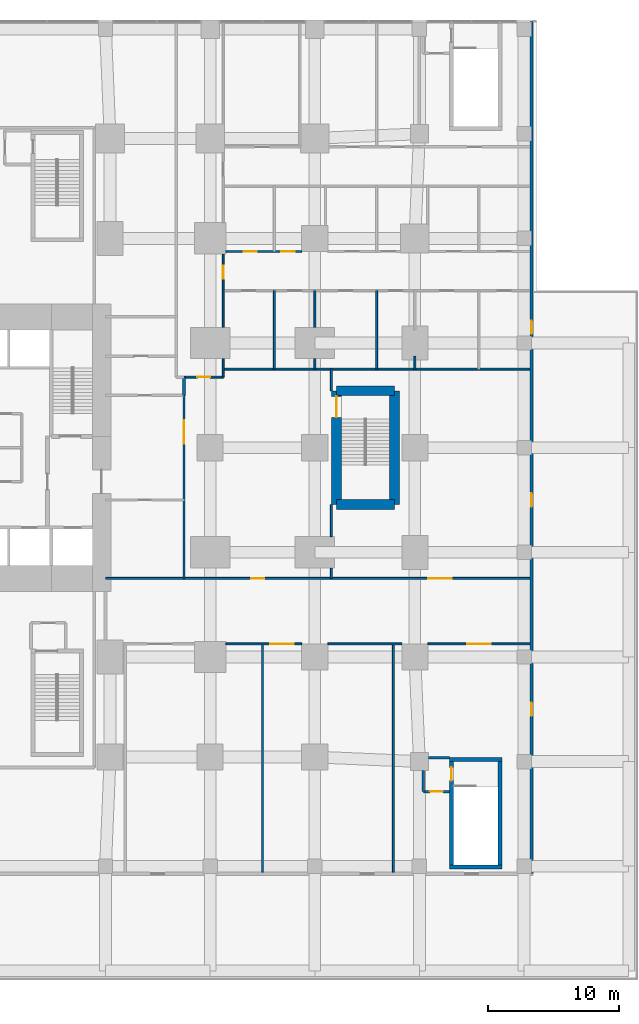
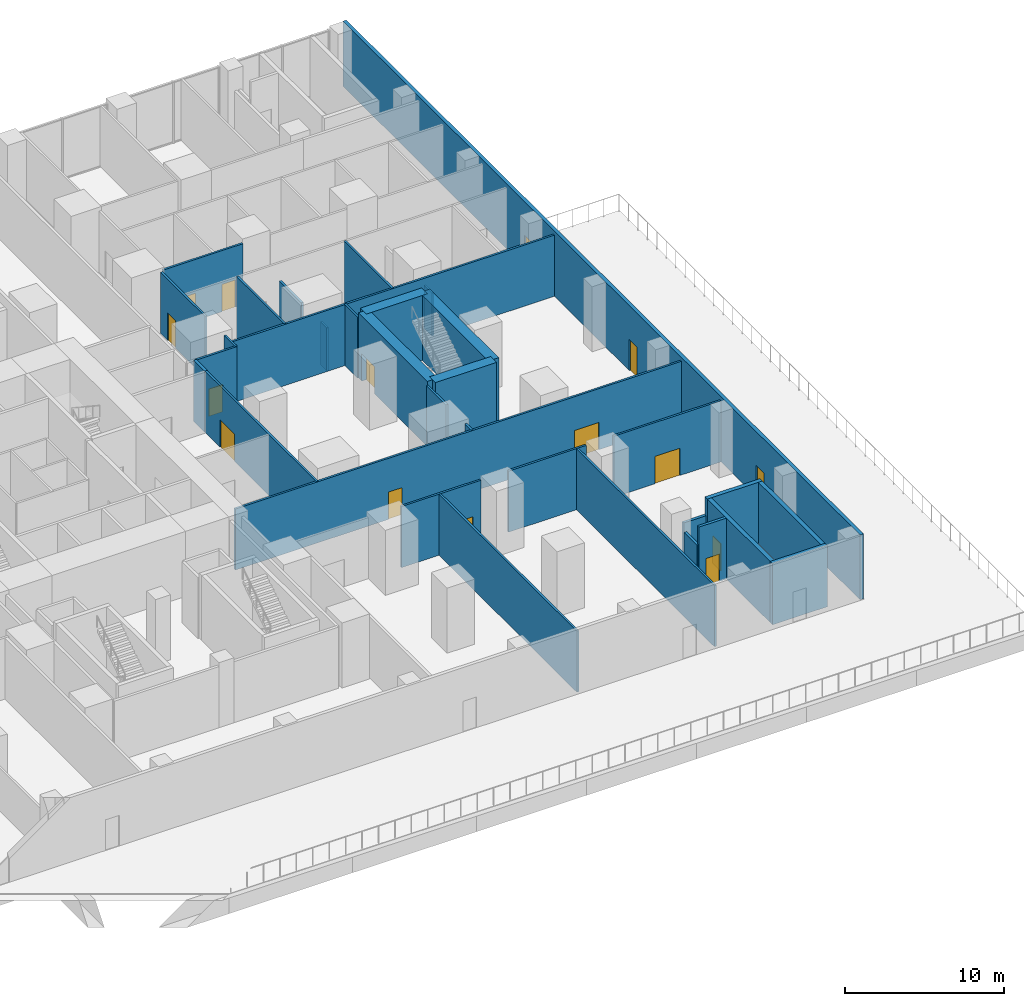
# One storey, part 11 of 19: 33 walls, 15 doors, 15 openings.
"""IFC4 building model written with IfcOpenShell, lengths in metres."""

from ifc_helpers import new_model, si_unit, direction, frame, frame_2d, origin, place, context, subcontext, project, spatial, rectangle, extrude, material, layer, layer_set, type_object, element, fill, save


model = new_model("IFC4")

# Units and contexts
model_context = context("Model", 3, precision=1e-05, world=origin(), true_north=direction((0.0, 1.0)))
body_context = subcontext(model_context, "Body", "Model", "MODEL_VIEW")
ifc_project = project(units=[si_unit("LENGTHUNIT", "METRE"), si_unit("AREAUNIT", "SQUARE_METRE"), si_unit("VOLUMEUNIT", "CUBIC_METRE"), si_unit("PLANEANGLEUNIT", "RADIAN"), si_unit("MASSUNIT", "GRAM", prefix="KILO")], contexts=[model_context])

# Site, building, storey
site_placement = place(None, origin())
site = spatial("IfcSite", under=ifc_project, at=site_placement, CompositionType="ELEMENT")
building_placement = place(site_placement, origin())
building = spatial("IfcBuilding", under=site, at=building_placement, Name="Cleftline Residences", CompositionType="ELEMENT")
storey_placement = place(building_placement, frame((0.0, 0.0, 11.0)))
storey = spatial("IfcBuildingStorey", under=building, at=storey_placement, Name="L02", CompositionType="ELEMENT", Elevation=11.0)

# Wall, openings, doors
ifc_material_1 = material(Name="Rendered reinforced concrete blockwork", Category="masonry")
ifc_layer_1 = layer(ifc_material_1, 0.25)
ifc_layer_set_1 = layer_set([ifc_layer_1], Name="EXTERNAL WALL 250")
wall_type_1 = type_object("IfcWallType", Name="EXTERNAL WALL 250", PredefinedType="SOLIDWALL", material=ifc_layer_set_1)
wall_1_placement = place(storey_placement, frame((74.574951171875, -8.574951171875, 0.0), z_axis=(0.0, 0.0, 1.0), x_axis=(0.0, 1.0, 0.0)))
wall_1 = element("IfcWall", 1, at=wall_1_placement, inside=storey, type_object=wall_type_1, Name="External wall", PredefinedType="SOLIDWALL", context=body_context, shape_type="SweptSolid", body=[
    extrude(rectangle(XDim=65.14990234375, YDim=0.25, at=frame_2d((32.574951171875, 0.0))), origin(), (0.0, 0.0, 1.0), 5.0),
])
opening_1_placement = place(wall_1_placement, frame((12.074951171875, 0.0, 0.0)))
opening_1 = element("IfcOpeningElement", 2, at=opening_1_placement, cuts=wall_1, Name="Opening DT1", PredefinedType="OPENING", context=body_context, shape_type="SweptSolid", body=[
    extrude(rectangle(XDim=1.0, YDim=2.39990234375, at=frame_2d((0.5, 1.199951171875))), frame((0.0, 0.135009765625, 0.0), z_axis=(0.0, -1.0, 0.0), x_axis=(1.0, 0.0, 0.0)), (0.0, 0.0, 1.0), 0.27001953125),
])
opening_2_placement = place(wall_1_placement, frame((28.074951171875, 0.0, 0.0)))
opening_2 = element("IfcOpeningElement", 3, at=opening_2_placement, cuts=wall_1, Name="Opening DT1", PredefinedType="OPENING", context=body_context, shape_type="SweptSolid", body=[
    extrude(rectangle(XDim=1.0, YDim=2.39990234375, at=frame_2d((0.5, 1.199951171875))), frame((0.0, 0.135009765625, 0.0), z_axis=(0.0, -1.0, 0.0), x_axis=(1.0, 0.0, 0.0)), (0.0, 0.0, 1.0), 0.27001953125),
])
opening_3_placement = place(wall_1_placement, frame((41.27490234375, 0.0, 0.0)))
opening_3 = element("IfcOpeningElement", 4, at=opening_3_placement, cuts=wall_1, Name="Opening DT1", PredefinedType="OPENING", context=body_context, shape_type="SweptSolid", body=[
    extrude(rectangle(XDim=1.0, YDim=2.39990234375, at=frame_2d((0.5, 1.199951171875))), frame((0.0, 0.135009765625, 0.0), z_axis=(0.0, -1.0, 0.0), x_axis=(1.0, 0.0, 0.0)), (0.0, 0.0, 1.0), 0.27001953125),
])
ifc_material_2 = material(Name="Aluminium and laminated glass", Category="aluminium")
door_type_1 = type_object("IfcDoorType", Name="TERRACE DOOR 1000X2400", OperationType="SINGLE_SWING_LEFT", PredefinedType="DOOR", material=ifc_material_2)
door_1_placement = place(opening_1_placement, origin())
door_1 = element("IfcDoor", 5, at=door_1_placement, inside=storey, type_object=door_type_1, Name="Terrace door", OperationType="SINGLE_SWING_RIGHT", OverallHeight=2.39990234375, OverallWidth=1.0, PredefinedType="DOOR", context=body_context, shape_type="SweptSolid", body=[
    extrude(rectangle(XDim=1.0, YDim=2.39990234375, at=frame_2d((0.5, 1.199951171875))), frame((0.0, 0.02490234375, 0.0), z_axis=(0.0, -1.0, 0.0), x_axis=(1.0, 0.0, 0.0)), (0.0, 0.0, 1.0), 0.050048828125),
])
fill(opening_1, door_1)
door_2_placement = place(opening_2_placement, origin())
door_2 = element("IfcDoor", 6, at=door_2_placement, inside=storey, type_object=door_type_1, Name="Terrace door", OperationType="SINGLE_SWING_RIGHT", OverallHeight=2.39990234375, OverallWidth=1.0, PredefinedType="DOOR", context=body_context, shape_type="SweptSolid", body=[
    extrude(rectangle(XDim=1.0, YDim=2.39990234375, at=frame_2d((0.5, 1.199951171875))), frame((0.0, 0.02490234375, 0.0), z_axis=(0.0, -1.0, 0.0), x_axis=(1.0, 0.0, 0.0)), (0.0, 0.0, 1.0), 0.050048828125),
])
fill(opening_2, door_2)
door_3_placement = place(opening_3_placement, origin())
door_3 = element("IfcDoor", 7, at=door_3_placement, inside=storey, type_object=door_type_1, Name="Terrace door", OperationType="SINGLE_SWING_LEFT", OverallHeight=2.39990234375, OverallWidth=1.0, PredefinedType="DOOR", context=body_context, shape_type="SweptSolid", body=[
    extrude(rectangle(XDim=1.0, YDim=2.39990234375, at=frame_2d((0.5, 1.199951171875))), frame((0.0, 0.02490234375, 0.0), z_axis=(0.0, -1.0, 0.0), x_axis=(1.0, 0.0, 0.0)), (0.0, 0.0, 1.0), 0.050048828125),
])
fill(opening_3, door_3)

# Wall, opening, door
ifc_material_3 = material(Name="Concrete blockwork, fire rated", Category="masonry")
ifc_layer_2 = layer(ifc_material_3, 0.199951171875)
ifc_layer_set_2 = layer_set([ifc_layer_2], Name="FIRE WALL 200")
wall_type_2 = type_object("IfcWallType", Name="FIRE WALL 200", PredefinedType="PARTITIONING", material=ifc_layer_set_2)
wall_2_placement = place(storey_placement, frame((66.300048828125, -2.300048828125, 0.0), z_axis=(0.0, 0.0, 1.0), x_axis=(1.0, 0.0, 0.0)))
wall_2 = element("IfcWall", 8, at=wall_2_placement, inside=storey, type_object=wall_type_2, Name="Fire separating wall", PredefinedType="PARTITIONING", context=body_context, shape_type="SweptSolid", body=[
    extrude(rectangle(XDim=2.0, YDim=0.199951171875, at=frame_2d((1.0, 0.0))), origin(), (0.0, 0.0, 1.0), 4.699951171875),
])
opening_4_placement = place(wall_2_placement, frame((0.5, 0.0, 0.0)))
opening_4 = element("IfcOpeningElement", 9, at=opening_4_placement, cuts=wall_2, Name="Opening D2F60", PredefinedType="OPENING", context=body_context, shape_type="SweptSolid", body=[
    extrude(rectangle(XDim=1.0, YDim=2.10009765625, at=frame_2d((0.5, 1.050048828125))), frame((0.0, 0.10986328125, 0.0), z_axis=(0.0, -1.0, 0.0), x_axis=(1.0, 0.0, 0.0)), (0.0, 0.0, 1.0), 0.219970703125),
])
ifc_material_4 = material(Name="Timber veneer on solid core", Category="wood")
door_type_2 = type_object("IfcDoorType", Name="DOOR 1000X2100 EI 60", OperationType="SINGLE_SWING_LEFT", PredefinedType="DOOR", material=ifc_material_4)
door_4_placement = place(opening_4_placement, origin())
door_4 = element("IfcDoor", 10, at=door_4_placement, inside=storey, type_object=door_type_2, Name="Door to stair ps-s lobby", OperationType="SINGLE_SWING_LEFT", OverallHeight=2.10009765625, OverallWidth=1.0, PredefinedType="DOOR", context=body_context, shape_type="SweptSolid", body=[
    extrude(rectangle(XDim=1.0, YDim=2.10009765625, at=frame_2d((0.5, 1.050048828125))), frame((0.0, 0.02490234375, 0.0), z_axis=(0.0, -1.0, 0.0), x_axis=(1.0, 0.0, 0.0)), (0.0, 0.0, 1.0), 0.050048828125),
])
fill(opening_4, door_4)

# Walls
wall_3_placement = place(storey_placement, frame((66.699951171875, 0.300048828125, 0.0), z_axis=(0.0, 0.0, 1.0), x_axis=(1.0, 0.0, 0.0)))
element("IfcWall", 11, at=wall_3_placement, inside=storey, type_object=wall_type_2, Name="Fire separating wall", PredefinedType="PARTITIONING", context=body_context, shape_type="SweptSolid", body=[
    extrude(rectangle(XDim=1.60009765625, YDim=0.199951171875, at=frame_2d((0.800048828125, 0.0))), origin(), (0.0, 0.0, 1.0), 3.300048828125),
])
wall_4_placement = place(storey_placement, frame((48.0, 28.0, 0.0), z_axis=(0.0, 0.0, 1.0), x_axis=(0.0, 1.0, 0.0)))
element("IfcWall", 12, at=wall_4_placement, inside=storey, type_object=wall_type_2, Name="Fire separating wall", PredefinedType="PARTITIONING", context=body_context, shape_type="SweptSolid", body=[
    extrude(rectangle(XDim=1.39990234375, YDim=0.199951171875, at=frame_2d((0.699951171875, 0.0))), origin(), (0.0, 0.0, 1.0), 4.699951171875),
])
wall_5_placement = place(storey_placement, frame((66.300048828125, -2.300048828125, 0.0), z_axis=(0.0, 0.0, 1.0), x_axis=(0.0, 1.0, 0.0)))
element("IfcWall", 13, at=wall_5_placement, inside=storey, type_object=wall_type_2, Name="Fire separating wall", PredefinedType="PARTITIONING", context=body_context, shape_type="SweptSolid", body=[
    extrude(rectangle(XDim=1.60009765625, YDim=0.199951171875, at=frame_2d((0.800048828125, 0.0))), origin(), (0.0, 0.0, 1.0), 3.300048828125),
])

# Wall, opening, door
ifc_material_5 = material(Name="Gypsum board on steel studs", Category="steel")
ifc_layer_3 = layer(ifc_material_5, 0.14990234375)
ifc_layer_set_3 = layer_set([ifc_layer_3], Name="PARTITION 150")
wall_type_3 = type_object("IfcWallType", Name="PARTITION 150", PredefinedType="PARTITIONING", material=ifc_layer_set_3)
wall_6_placement = place(storey_placement, frame((51.199951171875, 9.0, 0.0), z_axis=(0.0, 0.0, 1.0), x_axis=(1.0, 0.0, 0.0)))
wall_6 = element("IfcWall", 14, at=wall_6_placement, inside=storey, type_object=wall_type_3, Name="Partition", PredefinedType="PARTITIONING", context=body_context, shape_type="SweptSolid", body=[
    extrude(rectangle(XDim=5.800048828125, YDim=0.14990234375, at=frame_2d((2.89990234375, 0.0))), origin(), (0.0, 0.0, 1.0), 4.699951171875),
])
opening_5_placement = place(wall_6_placement, frame((3.39990234375, 0.0, 0.0)))
opening_5 = element("IfcOpeningElement", 15, at=opening_5_placement, cuts=wall_6, Name="Opening D3", PredefinedType="OPENING", context=body_context, shape_type="SweptSolid", body=[
    extrude(rectangle(XDim=1.800048828125, YDim=2.10009765625, at=frame_2d((0.89990234375, 1.050048828125))), frame((0.0, 0.0849609375, 0.0), z_axis=(0.0, -1.0, 0.0), x_axis=(1.0, 0.0, 0.0)), (0.0, 0.0, 1.0), 0.169921875),
])
ifc_material_6 = material(Name="Timber veneer on solid core", Category="wood")
door_type_3 = type_object("IfcDoorType", Name="DOUBLE DOOR 1800X2100", OperationType="DOUBLE_DOOR_DOUBLE_SWING", PredefinedType="DOOR", material=ifc_material_6)
door_5_placement = place(opening_5_placement, origin())
door_5 = element("IfcDoor", 16, at=door_5_placement, inside=storey, type_object=door_type_3, Name="Door to dance studio", OperationType="DOUBLE_DOOR_DOUBLE_SWING", OverallHeight=2.10009765625, OverallWidth=1.800048828125, PredefinedType="DOOR", context=body_context, shape_type="SweptSolid", body=[
    extrude(rectangle(XDim=1.800048828125, YDim=2.10009765625, at=frame_2d((0.89990234375, 1.050048828125))), frame((0.0, 0.02490234375, 0.0), z_axis=(0.0, -1.0, 0.0), x_axis=(1.0, 0.0, 0.0)), (0.0, 0.0, 1.0), 0.050048828125),
])
fill(opening_5, door_5)

# Wall
wall_7_placement = place(storey_placement, frame((59.0, 9.0, 0.0), z_axis=(0.0, 0.0, 1.0), x_axis=(1.0, 0.0, 0.0)))
element("IfcWall", 17, at=wall_7_placement, inside=storey, type_object=wall_type_3, Name="Partition", PredefinedType="PARTITIONING", context=body_context, shape_type="SweptSolid", body=[
    extrude(rectangle(XDim=5.64990234375, YDim=0.14990234375, at=frame_2d((2.824951171875, 0.0))), origin(), (0.0, 0.0, 1.0), 4.699951171875),
])

# Wall, opening, door
wall_8_placement = place(storey_placement, frame((66.64990234375, 9.0, 0.0), z_axis=(0.0, 0.0, 1.0), x_axis=(1.0, 0.0, 0.0)))
wall_8 = element("IfcWall", 18, at=wall_8_placement, inside=storey, type_object=wall_type_3, Name="Partition", PredefinedType="PARTITIONING", context=body_context, shape_type="SweptSolid", body=[
    extrude(rectangle(XDim=7.800048828125, YDim=0.14990234375, at=frame_2d((3.89990234375, 0.0))), origin(), (0.0, 0.0, 1.0), 4.699951171875),
])
opening_6_placement = place(wall_8_placement, frame((3.0, 0.0, 0.0)))
opening_6 = element("IfcOpeningElement", 19, at=opening_6_placement, cuts=wall_8, Name="Opening D3", PredefinedType="OPENING", context=body_context, shape_type="SweptSolid", body=[
    extrude(rectangle(XDim=1.800048828125, YDim=2.10009765625, at=frame_2d((0.89990234375, 1.050048828125))), frame((0.0, 0.0849609375, 0.0), z_axis=(0.0, -1.0, 0.0), x_axis=(1.0, 0.0, 0.0)), (0.0, 0.0, 1.0), 0.169921875),
])
door_6_placement = place(opening_6_placement, origin())
door_6 = element("IfcDoor", 20, at=door_6_placement, inside=storey, type_object=door_type_3, Name="Door to fitness assessment room", OperationType="DOUBLE_DOOR_DOUBLE_SWING", OverallHeight=2.10009765625, OverallWidth=1.800048828125, PredefinedType="DOOR", context=body_context, shape_type="SweptSolid", body=[
    extrude(rectangle(XDim=1.800048828125, YDim=2.10009765625, at=frame_2d((0.89990234375, 1.050048828125))), frame((0.0, 0.02490234375, 0.0), z_axis=(0.0, -1.0, 0.0), x_axis=(1.0, 0.0, 0.0)), (0.0, 0.0, 1.0), 0.050048828125),
])
fill(opening_6, door_6)

# Wall, openings, doors
wall_9_placement = place(storey_placement, frame((42.0, 14.0, 0.0), z_axis=(0.0, 0.0, 1.0), x_axis=(1.0, 0.0, 0.0)))
wall_9 = element("IfcWall", 21, at=wall_9_placement, inside=storey, type_object=wall_type_3, Name="Partition", PredefinedType="PARTITIONING", context=body_context, shape_type="SweptSolid", body=[
    extrude(rectangle(XDim=32.449951171875, YDim=0.14990234375, at=frame_2d((16.22509765625, 0.0))), origin(), (0.0, 0.0, 1.0), 4.699951171875),
])
opening_7_placement = place(wall_9_placement, frame((11.137451171875, 0.0, 0.0)))
opening_7 = element("IfcOpeningElement", 22, at=opening_7_placement, cuts=wall_9, Name="Opening D2F30", PredefinedType="OPENING", context=body_context, shape_type="SweptSolid", body=[
    extrude(rectangle(XDim=1.0, YDim=2.10009765625, at=frame_2d((0.5, 1.050048828125))), frame((0.0, 0.0849609375, 0.0), z_axis=(0.0, -1.0, 0.0), x_axis=(1.0, 0.0, 0.0)), (0.0, 0.0, 1.0), 0.169921875),
])
opening_8_placement = place(wall_9_placement, frame((24.66259765625, 0.0, 0.0)))
opening_8 = element("IfcOpeningElement", 23, at=opening_8_placement, cuts=wall_9, Name="Opening D3F30", PredefinedType="OPENING", context=body_context, shape_type="SweptSolid", body=[
    extrude(rectangle(XDim=1.800048828125, YDim=2.10009765625, at=frame_2d((0.89990234375, 1.050048828125))), frame((0.0, 0.0849609375, 0.0), z_axis=(0.0, -1.0, 0.0), x_axis=(1.0, 0.0, 0.0)), (0.0, 0.0, 1.0), 0.169921875),
])
ifc_material_7 = material(Name="Timber veneer on solid core", Category="wood")
door_type_4 = type_object("IfcDoorType", Name="DOOR 1000X2100 EI 30", OperationType="SINGLE_SWING_LEFT", PredefinedType="DOOR", material=ifc_material_7)
door_7_placement = place(opening_7_placement, origin())
door_7 = element("IfcDoor", 24, at=door_7_placement, inside=storey, type_object=door_type_4, Name="Door to studio corridor", OperationType="SINGLE_SWING_RIGHT", OverallHeight=2.10009765625, OverallWidth=1.0, PredefinedType="DOOR", context=body_context, shape_type="SweptSolid", body=[
    extrude(rectangle(XDim=1.0, YDim=2.10009765625, at=frame_2d((0.5, 1.050048828125))), frame((0.0, 0.02490234375, 0.0), z_axis=(0.0, -1.0, 0.0), x_axis=(1.0, 0.0, 0.0)), (0.0, 0.0, 1.0), 0.050048828125),
])
fill(opening_7, door_7)
ifc_material_8 = material(Name="Timber veneer on solid core", Category="wood")
door_type_5 = type_object("IfcDoorType", Name="DOUBLE DOOR 1800X2100 EI 30", OperationType="DOUBLE_DOOR_DOUBLE_SWING", PredefinedType="DOOR", material=ifc_material_8)
door_8_placement = place(opening_8_placement, origin())
door_8 = element("IfcDoor", 25, at=door_8_placement, inside=storey, type_object=door_type_5, Name="Door to juice bar", OperationType="DOUBLE_DOOR_DOUBLE_SWING", OverallHeight=2.10009765625, OverallWidth=1.800048828125, PredefinedType="DOOR", context=body_context, shape_type="SweptSolid", body=[
    extrude(rectangle(XDim=1.800048828125, YDim=2.10009765625, at=frame_2d((0.89990234375, 1.050048828125))), frame((0.0, 0.02490234375, 0.0), z_axis=(0.0, -1.0, 0.0), x_axis=(1.0, 0.0, 0.0)), (0.0, 0.0, 1.0), 0.050048828125),
])
fill(opening_8, door_8)

# Wall, opening, door
wall_10_placement = place(storey_placement, frame((48.0, 29.39990234375, 0.0), z_axis=(0.0, 0.0, 1.0), x_axis=(1.0, 0.0, 0.0)))
wall_10 = element("IfcWall", 26, at=wall_10_placement, inside=storey, type_object=wall_type_3, Name="Partition", PredefinedType="PARTITIONING", context=body_context, shape_type="SweptSolid", body=[
    extrude(rectangle(XDim=3.0, YDim=0.14990234375, at=frame_2d((1.5, 0.0))), origin(), (0.0, 0.0, 1.0), 4.699951171875),
])
opening_9_placement = place(wall_10_placement, frame((1.0, 0.0, 0.0)))
opening_9 = element("IfcOpeningElement", 27, at=opening_9_placement, cuts=wall_10, Name="Opening D2F30", PredefinedType="OPENING", context=body_context, shape_type="SweptSolid", body=[
    extrude(rectangle(XDim=1.0, YDim=2.10009765625, at=frame_2d((0.5, 1.050048828125))), frame((0.0, 0.0849609375, 0.0), z_axis=(0.0, -1.0, 0.0), x_axis=(1.0, 0.0, 0.0)), (0.0, 0.0, 1.0), 0.169921875),
])
door_9_placement = place(opening_9_placement, origin())
door_9 = element("IfcDoor", 28, at=door_9_placement, inside=storey, type_object=door_type_4, Name="Door to treatment corridor", OperationType="SINGLE_SWING_LEFT", OverallHeight=2.10009765625, OverallWidth=1.0, PredefinedType="DOOR", context=body_context, shape_type="SweptSolid", body=[
    extrude(rectangle(XDim=1.0, YDim=2.10009765625, at=frame_2d((0.5, 1.050048828125))), frame((0.0, 0.02490234375, 0.0), z_axis=(0.0, -1.0, 0.0), x_axis=(1.0, 0.0, 0.0)), (0.0, 0.0, 1.0), 0.050048828125),
])
fill(opening_9, door_9)

# Wall
wall_11_placement = place(storey_placement, frame((51.0, 30.0, 0.0), z_axis=(0.0, 0.0, 1.0), x_axis=(1.0, 0.0, 0.0)))
element("IfcWall", 29, at=wall_11_placement, inside=storey, type_object=wall_type_3, Name="Partition", PredefinedType="PARTITIONING", context=body_context, shape_type="SweptSolid", body=[
    extrude(rectangle(XDim=23.449951171875, YDim=0.14990234375, at=frame_2d((11.72509765625, 0.0))), origin(), (0.0, 0.0, 1.0), 4.699951171875),
])

# Wall, openings, doors
wall_12_placement = place(storey_placement, frame((51.199951171875, 39.0, 0.0), z_axis=(0.0, 0.0, 1.0), x_axis=(1.0, 0.0, 0.0)))
wall_12 = element("IfcWall", 30, at=wall_12_placement, inside=storey, type_object=wall_type_3, Name="Partition", PredefinedType="PARTITIONING", context=body_context, shape_type="SweptSolid", body=[
    extrude(rectangle(XDim=5.800048828125, YDim=0.14990234375, at=frame_2d((2.89990234375, 0.0))), origin(), (0.0, 0.0, 1.0), 4.699951171875),
])
opening_10_placement = place(wall_12_placement, frame((1.35400390625, 0.0, 0.0)))
opening_10 = element("IfcOpeningElement", 31, at=opening_10_placement, cuts=wall_12, Name="Opening D2", PredefinedType="OPENING", context=body_context, shape_type="SweptSolid", body=[
    extrude(rectangle(XDim=1.0, YDim=2.10009765625, at=frame_2d((0.5, 1.050048828125))), frame((0.0, 0.0849609375, 0.0), z_axis=(0.0, -1.0, 0.0), x_axis=(1.0, 0.0, 0.0)), (0.0, 0.0, 1.0), 0.169921875),
])
opening_11_placement = place(wall_12_placement, frame((4.25390625, 0.0, 0.0)))
opening_11 = element("IfcOpeningElement", 32, at=opening_11_placement, cuts=wall_12, Name="Opening D2", PredefinedType="OPENING", context=body_context, shape_type="SweptSolid", body=[
    extrude(rectangle(XDim=1.0, YDim=2.10009765625, at=frame_2d((0.5, 1.050048828125))), frame((0.0, 0.0849609375, 0.0), z_axis=(0.0, -1.0, 0.0), x_axis=(1.0, 0.0, 0.0)), (0.0, 0.0, 1.0), 0.169921875),
])
ifc_material_9 = material(Name="Timber veneer on solid core", Category="wood")
door_type_6 = type_object("IfcDoorType", Name="DOOR 1000X2100", OperationType="SINGLE_SWING_LEFT", PredefinedType="DOOR", material=ifc_material_9)
door_10_placement = place(opening_10_placement, origin())
door_10 = element("IfcDoor", 33, at=door_10_placement, inside=storey, type_object=door_type_6, Name="Door to treatment room 11", OperationType="SINGLE_SWING_RIGHT", OverallHeight=2.10009765625, OverallWidth=1.0, PredefinedType="DOOR", context=body_context, shape_type="SweptSolid", body=[
    extrude(rectangle(XDim=1.0, YDim=2.10009765625, at=frame_2d((0.5, 1.050048828125))), frame((0.0, 0.02490234375, 0.0), z_axis=(0.0, -1.0, 0.0), x_axis=(1.0, 0.0, 0.0)), (0.0, 0.0, 1.0), 0.050048828125),
])
fill(opening_10, door_10)
door_11_placement = place(opening_11_placement, origin())
door_11 = element("IfcDoor", 34, at=door_11_placement, inside=storey, type_object=door_type_6, Name="Door to treatment room 12", OperationType="SINGLE_SWING_LEFT", OverallHeight=2.10009765625, OverallWidth=1.0, PredefinedType="DOOR", context=body_context, shape_type="SweptSolid", body=[
    extrude(rectangle(XDim=1.0, YDim=2.10009765625, at=frame_2d((0.5, 1.050048828125))), frame((0.0, 0.02490234375, 0.0), z_axis=(0.0, -1.0, 0.0), x_axis=(1.0, 0.0, 0.0)), (0.0, 0.0, 1.0), 0.050048828125),
])
fill(opening_11, door_11)

# Wall, opening, door
wall_13_placement = place(storey_placement, frame((48.0, 14.0, 0.0), z_axis=(0.0, 0.0, 1.0), x_axis=(0.0, 1.0, 0.0)))
wall_13 = element("IfcWall", 35, at=wall_13_placement, inside=storey, type_object=wall_type_3, Name="Partition", PredefinedType="PARTITIONING", context=body_context, shape_type="SweptSolid", body=[
    extrude(rectangle(XDim=14.0, YDim=0.14990234375, at=frame_2d((7.0, 0.0))), origin(), (0.0, 0.0, 1.0), 4.699951171875),
])
opening_12_placement = place(wall_13_placement, frame((10.300048828125, 0.0, 0.0)))
opening_12 = element("IfcOpeningElement", 36, at=opening_12_placement, cuts=wall_13, Name="Opening D3F30", PredefinedType="OPENING", context=body_context, shape_type="SweptSolid", body=[
    extrude(rectangle(XDim=1.800048828125, YDim=2.10009765625, at=frame_2d((0.89990234375, 1.050048828125))), frame((0.0, 0.0849609375, 0.0), z_axis=(0.0, -1.0, 0.0), x_axis=(1.0, 0.0, 0.0)), (0.0, 0.0, 1.0), 0.169921875),
])
door_12_placement = place(opening_12_placement, origin())
door_12 = element("IfcDoor", 37, at=door_12_placement, inside=storey, type_object=door_type_5, Name="Door to spa reception lobby", OperationType="DOUBLE_DOOR_DOUBLE_SWING", OverallHeight=2.10009765625, OverallWidth=1.800048828125, PredefinedType="DOOR", context=body_context, shape_type="SweptSolid", body=[
    extrude(rectangle(XDim=1.800048828125, YDim=2.10009765625, at=frame_2d((0.89990234375, 1.050048828125))), frame((0.0, 0.02490234375, 0.0), z_axis=(0.0, -1.0, 0.0), x_axis=(1.0, 0.0, 0.0)), (0.0, 0.0, 1.0), 0.050048828125),
])
fill(opening_12, door_12)

# Wall
wall_14_placement = place(storey_placement, frame((51.0, 29.39990234375, 0.0), z_axis=(0.0, 0.0, 1.0), x_axis=(0.0, 1.0, 0.0)))
element("IfcWall", 38, at=wall_14_placement, inside=storey, type_object=wall_type_3, Name="Partition", PredefinedType="PARTITIONING", context=body_context, shape_type="SweptSolid", body=[
    extrude(rectangle(XDim=1.400146484375, YDim=0.14990234375, at=frame_2d((0.7001953125, 0.0))), origin(), (0.0, 0.0, 1.0), 4.699951171875),
])

# Wall, opening, door
wall_15_placement = place(storey_placement, frame((51.0, 33.199951171875, 0.0), z_axis=(0.0, 0.0, 1.0), x_axis=(0.0, 1.0, 0.0)))
wall_15 = element("IfcWall", 39, at=wall_15_placement, inside=storey, type_object=wall_type_3, Name="Partition", PredefinedType="PARTITIONING", context=body_context, shape_type="SweptSolid", body=[
    extrude(rectangle(XDim=5.60009765625, YDim=0.14990234375, at=frame_2d((2.800048828125, 0.0))), origin(), (0.0, 0.0, 1.0), 4.699951171875),
])
opening_13_placement = place(wall_15_placement, frame((3.699951171875, 0.0, 0.0)))
opening_13 = element("IfcOpeningElement", 40, at=opening_13_placement, cuts=wall_15, Name="Opening D2F30", PredefinedType="OPENING", context=body_context, shape_type="SweptSolid", body=[
    extrude(rectangle(XDim=1.0, YDim=2.10009765625, at=frame_2d((0.5, 1.050048828125))), frame((0.0, 0.0849609375, 0.0), z_axis=(0.0, -1.0, 0.0), x_axis=(1.0, 0.0, 0.0)), (0.0, 0.0, 1.0), 0.169921875),
])
door_13_placement = place(opening_13_placement, origin())
door_13 = element("IfcDoor", 41, at=door_13_placement, inside=storey, type_object=door_type_4, Name="Door to treatment corridor east", OperationType="SINGLE_SWING_LEFT", OverallHeight=2.10009765625, OverallWidth=1.0, PredefinedType="DOOR", context=body_context, shape_type="SweptSolid", body=[
    extrude(rectangle(XDim=1.0, YDim=2.10009765625, at=frame_2d((0.5, 1.050048828125))), frame((0.0, 0.02490234375, 0.0), z_axis=(0.0, -1.0, 0.0), x_axis=(1.0, 0.0, 0.0)), (0.0, 0.0, 1.0), 0.050048828125),
])
fill(opening_13, door_13)

# Walls
wall_16_placement = place(storey_placement, frame((54.0, -8.449951171875, 0.0), z_axis=(0.0, 0.0, 1.0), x_axis=(0.0, 1.0, 0.0)))
element("IfcWall", 42, at=wall_16_placement, inside=storey, type_object=wall_type_3, Name="Partition", PredefinedType="PARTITIONING", context=body_context, shape_type="SweptSolid", body=[
    extrude(rectangle(XDim=17.449951171875, YDim=0.14990234375, at=frame_2d((8.72509765625, 0.0))), origin(), (0.0, 0.0, 1.0), 4.699951171875),
])
wall_17_placement = place(storey_placement, frame((54.907958984375, 30.0, 0.0), z_axis=(0.0, 0.0, 1.0), x_axis=(0.0, 1.0, 0.0)))
element("IfcWall", 43, at=wall_17_placement, inside=storey, type_object=wall_type_3, Name="Partition", PredefinedType="PARTITIONING", context=body_context, shape_type="SweptSolid", body=[
    extrude(rectangle(XDim=6.0, YDim=0.14990234375, at=frame_2d((3.0, 0.0))), origin(), (0.0, 0.0, 1.0), 4.699951171875),
])
wall_18_placement = place(storey_placement, frame((58.0, 30.0, 0.0), z_axis=(0.0, 0.0, 1.0), x_axis=(0.0, 1.0, 0.0)))
element("IfcWall", 44, at=wall_18_placement, inside=storey, type_object=wall_type_3, Name="Partition", PredefinedType="PARTITIONING", context=body_context, shape_type="SweptSolid", body=[
    extrude(rectangle(XDim=0.800048828125, YDim=0.14990234375, at=frame_2d((0.39990234375, 0.0))), origin(), (0.0, 0.0, 1.0), 3.300048828125),
])
wall_19_placement = place(storey_placement, frame((58.0, 33.199951171875, 0.0), z_axis=(0.0, 0.0, 1.0), x_axis=(0.0, 1.0, 0.0)))
element("IfcWall", 45, at=wall_19_placement, inside=storey, type_object=wall_type_3, Name="Partition", PredefinedType="PARTITIONING", context=body_context, shape_type="SweptSolid", body=[
    extrude(rectangle(XDim=2.800048828125, YDim=0.14990234375, at=frame_2d((1.39990234375, 0.0))), origin(), (0.0, 0.0, 1.0), 3.300048828125),
])
wall_20_placement = place(storey_placement, frame((59.27490234375, 14.0, 0.0), z_axis=(0.0, 0.0, 1.0), x_axis=(0.0, 1.0, 0.0)))
element("IfcWall", 46, at=wall_20_placement, inside=storey, type_object=wall_type_3, Name="Partition", PredefinedType="PARTITIONING", context=body_context, shape_type="SweptSolid", body=[
    extrude(rectangle(XDim=0.800048828125, YDim=0.14990234375, at=frame_2d((0.39990234375, 0.0))), origin(), (0.0, 0.0, 1.0), 4.699951171875),
])
wall_21_placement = place(storey_placement, frame((59.27490234375, 17.199951171875, 0.0), z_axis=(0.0, 0.0, 1.0), x_axis=(0.0, 1.0, 0.0)))
element("IfcWall", 47, at=wall_21_placement, inside=storey, type_object=wall_type_3, Name="Partition", PredefinedType="PARTITIONING", context=body_context, shape_type="SweptSolid", body=[
    extrude(rectangle(XDim=2.449951171875, YDim=0.14990234375, at=frame_2d((1.22509765625, 0.0))), origin(), (0.0, 0.0, 1.0), 4.699951171875),
])
wall_22_placement = place(storey_placement, frame((59.27490234375, 28.35009765625, 0.0), z_axis=(0.0, 0.0, 1.0), x_axis=(0.0, 1.0, 0.0)))
element("IfcWall", 48, at=wall_22_placement, inside=storey, type_object=wall_type_3, Name="Partition", PredefinedType="PARTITIONING", context=body_context, shape_type="SweptSolid", body=[
    extrude(rectangle(XDim=1.64990234375, YDim=0.14990234375, at=frame_2d((0.824951171875, 0.0))), origin(), (0.0, 0.0, 1.0), 4.699951171875),
])
wall_23_placement = place(storey_placement, frame((62.72509765625, 30.0, 0.0), z_axis=(0.0, 0.0, 1.0), x_axis=(0.0, 1.0, 0.0)))
element("IfcWall", 49, at=wall_23_placement, inside=storey, type_object=wall_type_3, Name="Partition", PredefinedType="PARTITIONING", context=body_context, shape_type="SweptSolid", body=[
    extrude(rectangle(XDim=6.0, YDim=0.14990234375, at=frame_2d((3.0, 0.0))), origin(), (0.0, 0.0, 1.0), 4.699951171875),
])
wall_24_placement = place(storey_placement, frame((64.0, -8.449951171875, 0.0), z_axis=(0.0, 0.0, 1.0), x_axis=(0.0, 1.0, 0.0)))
element("IfcWall", 50, at=wall_24_placement, inside=storey, type_object=wall_type_3, Name="Partition", PredefinedType="PARTITIONING", context=body_context, shape_type="SweptSolid", body=[
    extrude(rectangle(XDim=17.449951171875, YDim=0.14990234375, at=frame_2d((8.72509765625, 0.0))), origin(), (0.0, 0.0, 1.0), 4.699951171875),
])
wall_25_placement = place(storey_placement, frame((65.64990234375, 30.0, 0.0), z_axis=(0.0, 0.0, 1.0), x_axis=(0.0, 1.0, 0.0)))
element("IfcWall", 51, at=wall_25_placement, inside=storey, type_object=wall_type_3, Name="Partition", PredefinedType="PARTITIONING", context=body_context, shape_type="SweptSolid", body=[
    extrude(rectangle(XDim=1.0, YDim=0.14990234375, at=frame_2d((0.5, 0.0))), origin(), (0.0, 0.0, 1.0), 3.300048828125),
])
ifc_material_10 = material(Name="Concrete B70", Category="concrete")
ifc_layer_4 = layer(ifc_material_10, 0.75)
ifc_layer_set_4 = layer_set([ifc_layer_4], Name="SHEAR WALL 750")
wall_type_4 = type_object("IfcWallType", Name="SHEAR WALL 750", PredefinedType="SHEAR", material=ifc_layer_set_4)
wall_26_placement = place(storey_placement, frame((59.64990234375, 19.64990234375, 0.0), z_axis=(0.0, 0.0, 1.0), x_axis=(1.0, 0.0, 0.0)))
element("IfcWall", 52, at=wall_26_placement, inside=storey, type_object=wall_type_4, Name="Wing shear wall", PredefinedType="SHEAR", context=body_context, shape_type="SweptSolid", body=[
    extrude(rectangle(XDim=4.4501953125, YDim=0.75, at=frame_2d((2.22509765625, 0.0))), origin(), (0.0, 0.0, 1.0), 5.0),
])
wall_27_placement = place(storey_placement, frame((64.10009765625, 19.64990234375, 0.0), z_axis=(0.0, 0.0, 1.0), x_axis=(0.0, 1.0, 0.0)))
element("IfcWall", 53, at=wall_27_placement, inside=storey, type_object=wall_type_4, Name="Wing shear wall", PredefinedType="SHEAR", context=body_context, shape_type="SweptSolid", body=[
    extrude(rectangle(XDim=8.7001953125, YDim=0.75, at=frame_2d((4.35009765625, 0.0))), origin(), (0.0, 0.0, 1.0), 5.0),
])
wall_28_placement = place(storey_placement, frame((64.10009765625, 28.35009765625, 0.0), z_axis=(0.0, 0.0, 1.0), x_axis=(-1.0, 0.0, 0.0)))
element("IfcWall", 54, at=wall_28_placement, inside=storey, type_object=wall_type_4, Name="Wing shear wall", PredefinedType="SHEAR", context=body_context, shape_type="SweptSolid", body=[
    extrude(rectangle(XDim=4.4501953125, YDim=0.75, at=frame_2d((2.22509765625, 0.0))), origin(), (0.0, 0.0, 1.0), 5.0),
])

# Wall, opening, door
wall_29_placement = place(storey_placement, frame((59.64990234375, 28.35009765625, 0.0), z_axis=(0.0, 0.0, 1.0), x_axis=(0.0, -1.0, 0.0)))
wall_29 = element("IfcWall", 55, at=wall_29_placement, inside=storey, type_object=wall_type_4, Name="Wing shear wall", PredefinedType="SHEAR", context=body_context, shape_type="SweptSolid", body=[
    extrude(rectangle(XDim=8.7001953125, YDim=0.75, at=frame_2d((4.35009765625, 0.0))), origin(), (0.0, 0.0, 1.0), 5.0),
])
opening_14_placement = place(wall_29_placement, frame((0.425048828125, 0.0, 0.0)))
opening_14 = element("IfcOpeningElement", 56, at=opening_14_placement, cuts=wall_29, Name="Opening D9", PredefinedType="OPENING", context=body_context, shape_type="SweptSolid", body=[
    extrude(rectangle(XDim=1.60009765625, YDim=2.10009765625, at=frame_2d((0.800048828125, 1.050048828125))), frame((0.0, 0.385009765625, 0.0), z_axis=(0.0, -1.0, 0.0), x_axis=(1.0, 0.0, 0.0)), (0.0, 0.0, 1.0), 0.77001953125),
])
ifc_material_11 = material(Name="Steel", Category="steel")
door_type_7 = type_object("IfcDoorType", Name="STAIR DOOR 1600X2100", OperationType="DOUBLE_DOOR_SINGLE_SWING", PredefinedType="DOOR", material=ifc_material_11)
door_14_placement = place(opening_14_placement, origin())
door_14 = element("IfcDoor", 57, at=door_14_placement, inside=storey, type_object=door_type_7, Name="Stair E door", OperationType="DOUBLE_DOOR_SINGLE_SWING", OverallHeight=2.10009765625, OverallWidth=1.60009765625, PredefinedType="DOOR", context=body_context, shape_type="SweptSolid", body=[
    extrude(rectangle(XDim=1.60009765625, YDim=2.10009765625, at=frame_2d((0.800048828125, 1.050048828125))), frame((0.0, 0.02490234375, 0.0), z_axis=(0.0, -1.0, 0.0), x_axis=(1.0, 0.0, 0.0)), (0.0, 0.0, 1.0), 0.050048828125),
])
fill(opening_14, door_14)

# Walls
ifc_material_12 = material(Name="Concrete blockwork, fire rated", Category="masonry")
ifc_layer_5 = layer(ifc_material_12, 0.300048828125)
ifc_layer_set_5 = layer_set([ifc_layer_5], Name="STAIR ENCLOSURE WALL 300")
wall_type_5 = type_object("IfcWallType", Name="STAIR ENCLOSURE WALL 300", PredefinedType="PARTITIONING", material=ifc_layer_set_5)
for number, where, z_axis, x_axis, name in (
    (58, (68.300048828125, -8.050048828125, 0.0), (0.0, 0.0, 1.0), (1.0, 0.0, 0.0), "Stair PS-S enclosure"),
    (59, (68.300048828125, 0.14990234375, 0.0), (0.0, 0.0, 1.0), (1.0, 0.0, 0.0), "Stair PS-S enclosure"),
):
    element("IfcWall", number, at=place(storey_placement, frame(where, z_axis=z_axis, x_axis=x_axis)), inside=storey, type_object=wall_type_5, Name=name, PredefinedType="PARTITIONING", context=body_context, shape_type="SweptSolid", body=[
        extrude(rectangle(XDim=4.0, YDim=0.300048828125, at=frame_2d((2.0, 0.0))), origin(), (0.0, 0.0, 1.0), 4.699951171875),
    ])

# Wall, opening, door
wall_30_placement = place(storey_placement, frame((68.449951171875, -7.89990234375, 0.0), z_axis=(0.0, 0.0, 1.0), x_axis=(0.0, 1.0, 0.0)))
wall_30 = element("IfcWall", 60, at=wall_30_placement, inside=storey, type_object=wall_type_5, Name="Stair PS-S enclosure", PredefinedType="PARTITIONING", context=body_context, shape_type="SweptSolid", body=[
    extrude(rectangle(XDim=7.89990234375, YDim=0.300048828125, at=frame_2d((3.949951171875, 0.0))), origin(), (0.0, 0.0, 1.0), 4.699951171875),
])
opening_15_placement = place(wall_30_placement, frame((6.449951171875, 0.0, 0.0)))
opening_15 = element("IfcOpeningElement", 61, at=opening_15_placement, cuts=wall_30, Name="Opening D5", PredefinedType="OPENING", context=body_context, shape_type="SweptSolid", body=[
    extrude(rectangle(XDim=1.0, YDim=2.10009765625, at=frame_2d((0.5, 1.050048828125))), frame((0.0, 0.159912109375, 0.0), z_axis=(0.0, -1.0, 0.0), x_axis=(1.0, 0.0, 0.0)), (0.0, 0.0, 1.0), 0.320068359375),
])
ifc_material_13 = material(Name="Steel", Category="steel")
door_type_8 = type_object("IfcDoorType", Name="STAIR DOOR 1000X2100", OperationType="SINGLE_SWING_LEFT", PredefinedType="DOOR", material=ifc_material_13)
door_15_placement = place(opening_15_placement, origin())
door_15 = element("IfcDoor", 62, at=door_15_placement, inside=storey, type_object=door_type_8, Name="Stair PS-S door", OperationType="SINGLE_SWING_LEFT", OverallHeight=2.10009765625, OverallWidth=1.0, PredefinedType="DOOR", context=body_context, shape_type="SweptSolid", body=[
    extrude(rectangle(XDim=1.0, YDim=2.10009765625, at=frame_2d((0.5, 1.050048828125))), frame((0.0, 0.02490234375, 0.0), z_axis=(0.0, -1.0, 0.0), x_axis=(1.0, 0.0, 0.0)), (0.0, 0.0, 1.0), 0.050048828125),
])
fill(opening_15, door_15)

# Wall
wall_31_placement = place(storey_placement, frame((72.14990234375, -7.89990234375, 0.0), z_axis=(0.0, 0.0, 1.0), x_axis=(0.0, 1.0, 0.0)))
element("IfcWall", 63, at=wall_31_placement, inside=storey, type_object=wall_type_5, Name="Stair PS-S enclosure", PredefinedType="PARTITIONING", context=body_context, shape_type="SweptSolid", body=[
    extrude(rectangle(XDim=7.89990234375, YDim=0.300048828125, at=frame_2d((3.949951171875, 0.0))), origin(), (0.0, 0.0, 1.0), 4.699951171875),
])

save(model, "model.ifc")
